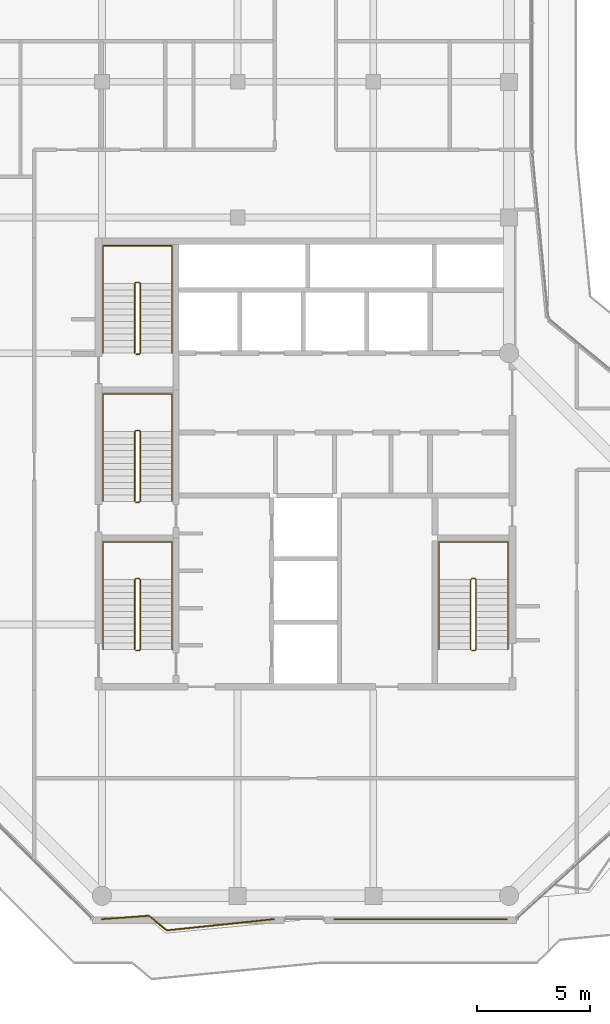
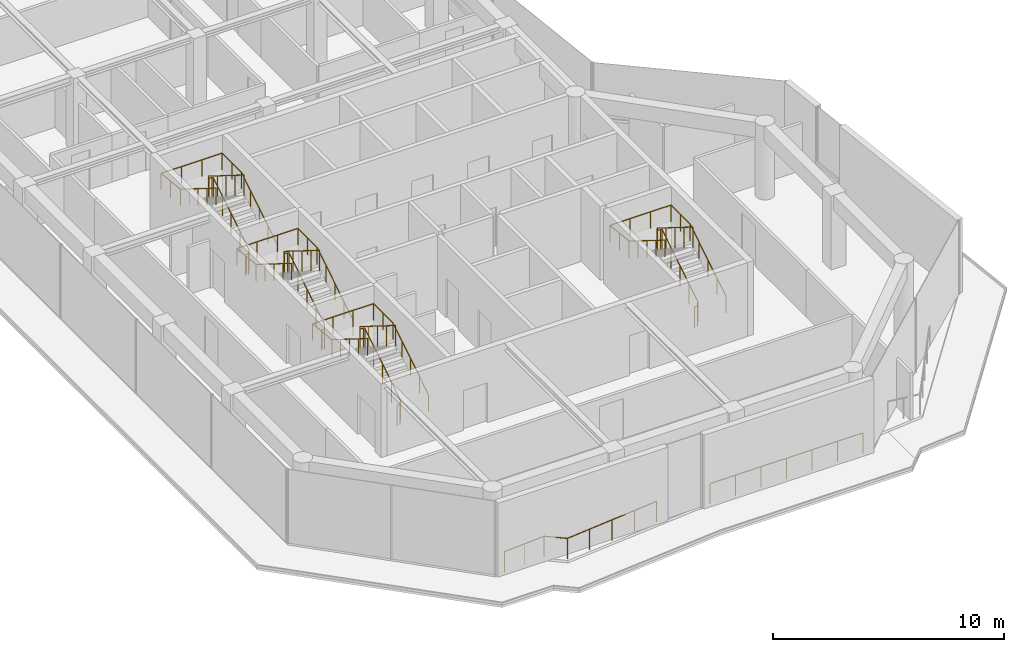
# One storey, part 21 of 22: 10 railings.
"""IFC4 building model written with IfcOpenShell, lengths in metres."""

from ifc_helpers import new_model, si_unit, direction, frame, origin, origin_2d, place, context, subcontext, project, spatial, circle, extrude, material, type_object, element, save


model = new_model("IFC4")

# Units and contexts
model_context = context("Model", 3, precision=1e-05, world=origin(), true_north=direction((0.0, 1.0)))
body_context = subcontext(model_context, "Body", "Model", "MODEL_VIEW")
ifc_project = project(units=[si_unit("LENGTHUNIT", "METRE"), si_unit("AREAUNIT", "SQUARE_METRE"), si_unit("VOLUMEUNIT", "CUBIC_METRE"), si_unit("PLANEANGLEUNIT", "RADIAN"), si_unit("MASSUNIT", "GRAM", prefix="KILO")], contexts=[model_context])

# Site, building, storey
site_placement = place(None, origin())
site = spatial("IfcSite", under=ifc_project, at=site_placement, CompositionType="ELEMENT")
building_placement = place(site_placement, origin())
building = spatial("IfcBuilding", under=site, at=building_placement, Name="Welwitschia Terrace Campus", CompositionType="ELEMENT")
storey_placement = place(building_placement, frame((0.0, 0.0, 310.39990234375)))
storey = spatial("IfcBuildingStorey", under=building, at=storey_placement, Name="L69", CompositionType="ELEMENT", Elevation=310.39990234375)

# Railings
ifc_material_1 = material(Name="Stainless steel grade 316", Category="steel")
railing_type_1 = type_object("IfcRailingType", Name="Guard 1100", PredefinedType="GUARDRAIL", material=ifc_material_1)
railing_1_placement = place(storey_placement, frame((13.605224609375, -5.030029296875, 0.0)))
element("IfcRailing", 1, at=railing_1_placement, inside=storey, type_object=railing_type_1, Name="Guard floor edge L69.1", PredefinedType="GUARDRAIL", context=body_context, shape_type="SweptSolid", body=[
    extrude(circle(Radius=0.02392578125, at=origin_2d()), frame((0.0, 0.0, 1.076171875), z_axis=(-0.994578987635, -0.103983832178, 0.0), x_axis=(0.103983832178, -0.994578987635, 0.0)), (0.0, 0.0, 1.0), 4.7685546875),
    extrude(circle(Radius=0.02392578125, at=origin_2d()), frame((-4.74267578125, -0.495849609375, 1.076171875), z_axis=(-0.77163871758, 0.636061073743, 0.0), x_axis=(-0.636061073743, -0.77163871758, 0.0)), (0.0, 0.0, 1.0), 1.015625),
    extrude(circle(Radius=0.02392578125, at=origin_2d()), frame((-5.5263671875, 0.150146484375, 1.076171875), z_axis=(-0.997409179137, -0.07193698196, 0.0), x_axis=(0.07193698196, -0.997409179137, 0.0)), (0.0, 0.0, 1.0), 2.087158203125),
    extrude(circle(Radius=0.02099609375, at=origin_2d()), origin(), (0.0, 0.0, 1.0), 1.052001953125),
    extrude(circle(Radius=0.02099609375, at=origin_2d()), frame((-1.185546875, -0.1240234375, 0.0)), (0.0, 0.0, 1.0), 1.052001953125),
    extrude(circle(Radius=0.02099609375, at=origin_2d()), frame((-2.371337890625, -0.248046875, 0.0)), (0.0, 0.0, 1.0), 1.052001953125),
    extrude(circle(Radius=0.02099609375, at=origin_2d()), frame((-3.55712890625, -0.371826171875, 0.0)), (0.0, 0.0, 1.0), 1.052001953125),
    extrude(circle(Radius=0.02099609375, at=origin_2d()), frame((-4.74267578125, -0.495849609375, 0.0)), (0.0, 0.0, 1.0), 1.052001953125),
    extrude(circle(Radius=0.02099609375, at=origin_2d()), frame((-5.5263671875, 0.150146484375, 0.0)), (0.0, 0.0, 1.0), 1.052001953125),
    extrude(circle(Radius=0.02099609375, at=origin_2d()), frame((-6.5673828125, 0.0751953125, 0.0)), (0.0, 0.0, 1.0), 1.052001953125),
    extrude(circle(Radius=0.02099609375, at=origin_2d()), frame((-7.608154296875, 0.0, 0.0)), (0.0, 0.0, 1.0), 1.052001953125),
])
railing_2_placement = place(storey_placement, frame((23.9091796875, -5.030029296875, 0.0)))
element("IfcRailing", 2, at=railing_2_placement, inside=storey, type_object=railing_type_1, Name="Guard floor edge L69.3", PredefinedType="GUARDRAIL", context=body_context, shape_type="SweptSolid", body=[
    extrude(circle(Radius=0.02392578125, at=origin_2d()), frame((0.0, 0.0, 1.076171875), z_axis=(-1.0, 0.0, 0.0), x_axis=(0.0, -1.0, 0.0)), (0.0, 0.0, 1.0), 7.632080078125),
    extrude(circle(Radius=0.02099609375, at=origin_2d()), origin(), (0.0, 0.0, 1.0), 1.052001953125),
    extrude(circle(Radius=0.02099609375, at=origin_2d()), frame((-1.27197265625, 0.0, 0.0)), (0.0, 0.0, 1.0), 1.052001953125),
    extrude(circle(Radius=0.02099609375, at=origin_2d()), frame((-2.5439453125, 0.0, 0.0)), (0.0, 0.0, 1.0), 1.052001953125),
    extrude(circle(Radius=0.02099609375, at=origin_2d()), frame((-3.81591796875, 0.0, 0.0)), (0.0, 0.0, 1.0), 1.052001953125),
    extrude(circle(Radius=0.02099609375, at=origin_2d()), frame((-5.088134765625, 0.0, 0.0)), (0.0, 0.0, 1.0), 1.052001953125),
    extrude(circle(Radius=0.02099609375, at=origin_2d()), frame((-6.360107421875, 0.0, 0.0)), (0.0, 0.0, 1.0), 1.052001953125),
    extrude(circle(Radius=0.02099609375, at=origin_2d()), frame((-7.632080078125, 0.0, 0.0)), (0.0, 0.0, 1.0), 1.052001953125),
])
ifc_material_2 = material(Name="Steel S355", Category="steel")
railing_type_2 = type_object("IfcRailingType", Name="Stair guard 1100", PredefinedType="GUARDRAIL", material=ifc_material_2)
railing_3_placement = place(storey_placement, frame((7.5, 6.85009765625, 0.0)))
element("IfcRailing", 3, at=railing_3_placement, inside=storey, type_object=railing_type_2, Name="L69 S1 stair guard", PredefinedType="GUARDRAIL", context=body_context, shape_type="SweptSolid", body=[
    extrude(circle(Radius=0.02392578125, at=origin_2d()), frame((0.0, 0.0, 1.076171875), z_axis=(1.0, 0.0, 0.0), x_axis=(0.0, 1.0, 0.0)), (0.0, 0.0, 1.0), 0.14990234375),
    extrude(circle(Radius=0.02392578125, at=origin_2d()), frame((0.14990234375, 0.0, 1.076171875), z_axis=(0.265155923931, 0.263862480399, 0.927399011991), x_axis=(-0.705375805398, 0.708833529934, 0.0)), (0.0, 0.0, 1.0), 0.188720703125),
    extrude(circle(Radius=0.02392578125, at=origin_2d()), frame((0.199951171875, 0.0498046875, 1.2509765625), z_axis=(0.0, 0.847998304005, 0.529998940003), x_axis=(-1.0, 0.0, 0.0)), (0.0, 0.0, 1.0), 3.632080078125),
    extrude(circle(Radius=0.02392578125, at=origin_2d()), frame((0.199951171875, 3.1298828125, 3.17626953125), z_axis=(-0.707106781187, 0.707106781187, 0.0), x_axis=(-0.707106781187, -0.707106781187, 0.0)), (0.0, 0.0, 1.0), 0.07080078125),
    extrude(circle(Radius=0.02392578125, at=origin_2d()), frame((0.14990234375, 3.179931640625, 3.17626953125), z_axis=(-1.0, 0.0, 0.0), x_axis=(0.0, -1.0, 0.0)), (0.0, 0.0, 1.0), 0.14990234375),
    extrude(circle(Radius=0.02392578125, at=origin_2d()), frame((0.0, 3.179931640625, 3.17626953125), z_axis=(-0.265065253269, -0.265065253269, 0.927081885822), x_axis=(0.707106781187, -0.707106781187, 0.0)), (0.0, 0.0, 1.0), 0.188720703125),
    extrude(circle(Radius=0.02392578125, at=origin_2d()), frame((-0.050048828125, 3.1298828125, 3.35107421875), z_axis=(0.0, -0.847998304005, 0.529998940003), x_axis=(1.0, 0.0, 0.0)), (0.0, 0.0, 1.0), 3.632080078125),
    extrude(circle(Radius=0.02099609375, at=origin_2d()), origin(), (0.0, 0.0, 1.0), 1.052001953125),
    extrude(circle(Radius=0.02099609375, at=origin_2d()), frame((0.14990234375, 0.0, 0.0)), (0.0, 0.0, 1.0), 1.052001953125),
    extrude(circle(Radius=0.02099609375, at=origin_2d()), frame((0.199951171875, 0.0498046875, 0.175048828125)), (0.0, 0.0, 1.0), 1.052001953125),
    extrude(circle(Radius=0.02099609375, at=origin_2d()), frame((0.199951171875, 0.81982421875, 0.65625)), (0.0, 0.0, 1.0), 1.052001953125),
    extrude(circle(Radius=0.02099609375, at=origin_2d()), frame((0.199951171875, 1.58984375, 1.1376953125)), (0.0, 0.0, 1.0), 1.052001953125),
    extrude(circle(Radius=0.02099609375, at=origin_2d()), frame((0.199951171875, 2.35986328125, 1.618896484375)), (0.0, 0.0, 1.0), 1.052001953125),
    extrude(circle(Radius=0.02099609375, at=origin_2d()), frame((0.199951171875, 3.1298828125, 2.10009765625)), (0.0, 0.0, 1.0), 1.052001953125),
    extrude(circle(Radius=0.02099609375, at=origin_2d()), frame((0.14990234375, 3.179931640625, 2.10009765625)), (0.0, 0.0, 1.0), 1.052001953125),
    extrude(circle(Radius=0.02099609375, at=origin_2d()), frame((0.0, 3.179931640625, 2.10009765625)), (0.0, 0.0, 1.0), 1.052001953125),
    extrude(circle(Radius=0.02099609375, at=origin_2d()), frame((-0.050048828125, 3.1298828125, 2.275146484375)), (0.0, 0.0, 1.0), 1.052001953125),
    extrude(circle(Radius=0.02099609375, at=origin_2d()), frame((-0.050048828125, 2.35986328125, 2.75634765625)), (0.0, 0.0, 1.0), 1.052001953125),
    extrude(circle(Radius=0.02099609375, at=origin_2d()), frame((-0.050048828125, 1.58984375, 3.23779296875)), (0.0, 0.0, 1.0), 1.052001953125),
    extrude(circle(Radius=0.02099609375, at=origin_2d()), frame((-0.050048828125, 0.81982421875, 3.718994140625)), (0.0, 0.0, 1.0), 1.052001953125),
    extrude(circle(Radius=0.02099609375, at=origin_2d()), frame((-0.050048828125, 0.0498046875, 4.2001953125)), (0.0, 0.0, 1.0), 1.052001953125),
])
railing_4_placement = place(storey_placement, frame((7.5, 13.39990234375, 0.0)))
element("IfcRailing", 4, at=railing_4_placement, inside=storey, type_object=railing_type_2, Name="L69 S3 stair guard", PredefinedType="GUARDRAIL", context=body_context, shape_type="SweptSolid", body=[
    extrude(circle(Radius=0.02392578125, at=origin_2d()), frame((0.0, 0.0, 1.076171875), z_axis=(1.0, 0.0, 0.0), x_axis=(0.0, 1.0, 0.0)), (0.0, 0.0, 1.0), 0.14990234375),
    extrude(circle(Radius=0.02392578125, at=origin_2d()), frame((0.14990234375, 0.0, 1.076171875), z_axis=(0.265065253269, 0.265065253269, 0.927081885822), x_axis=(-0.707106781187, 0.707106781187, 0.0)), (0.0, 0.0, 1.0), 0.188720703125),
    extrude(circle(Radius=0.02392578125, at=origin_2d()), frame((0.199951171875, 0.050048828125, 1.2509765625), z_axis=(0.0, 0.847998304005, 0.529998940003), x_axis=(-1.0, 0.0, 0.0)), (0.0, 0.0, 1.0), 3.632080078125),
    extrude(circle(Radius=0.02392578125, at=origin_2d()), frame((0.199951171875, 3.130126953125, 3.17626953125), z_axis=(-0.707106781187, 0.707106781187, 0.0), x_axis=(-0.707106781187, -0.707106781187, 0.0)), (0.0, 0.0, 1.0), 0.07080078125),
    extrude(circle(Radius=0.02392578125, at=origin_2d()), frame((0.14990234375, 3.18017578125, 3.17626953125), z_axis=(-1.0, 0.0, 0.0), x_axis=(0.0, -1.0, 0.0)), (0.0, 0.0, 1.0), 0.14990234375),
    extrude(circle(Radius=0.02392578125, at=origin_2d()), frame((0.0, 3.18017578125, 3.17626953125), z_axis=(-0.265065253269, -0.265065253269, 0.927081885822), x_axis=(0.707106781187, -0.707106781187, 0.0)), (0.0, 0.0, 1.0), 0.188720703125),
    extrude(circle(Radius=0.02392578125, at=origin_2d()), frame((-0.050048828125, 3.130126953125, 3.35107421875), z_axis=(0.0, -0.847998304005, 0.529998940003), x_axis=(1.0, 0.0, 0.0)), (0.0, 0.0, 1.0), 3.632080078125),
    extrude(circle(Radius=0.02099609375, at=origin_2d()), origin(), (0.0, 0.0, 1.0), 1.052001953125),
    extrude(circle(Radius=0.02099609375, at=origin_2d()), frame((0.14990234375, 0.0, 0.0)), (0.0, 0.0, 1.0), 1.052001953125),
    extrude(circle(Radius=0.02099609375, at=origin_2d()), frame((0.199951171875, 0.050048828125, 0.175048828125)), (0.0, 0.0, 1.0), 1.052001953125),
    extrude(circle(Radius=0.02099609375, at=origin_2d()), frame((0.199951171875, 0.820068359375, 0.65625)), (0.0, 0.0, 1.0), 1.052001953125),
    extrude(circle(Radius=0.02099609375, at=origin_2d()), frame((0.199951171875, 1.590087890625, 1.1376953125)), (0.0, 0.0, 1.0), 1.052001953125),
    extrude(circle(Radius=0.02099609375, at=origin_2d()), frame((0.199951171875, 2.360107421875, 1.618896484375)), (0.0, 0.0, 1.0), 1.052001953125),
    extrude(circle(Radius=0.02099609375, at=origin_2d()), frame((0.199951171875, 3.130126953125, 2.10009765625)), (0.0, 0.0, 1.0), 1.052001953125),
    extrude(circle(Radius=0.02099609375, at=origin_2d()), frame((0.14990234375, 3.18017578125, 2.10009765625)), (0.0, 0.0, 1.0), 1.052001953125),
    extrude(circle(Radius=0.02099609375, at=origin_2d()), frame((0.0, 3.18017578125, 2.10009765625)), (0.0, 0.0, 1.0), 1.052001953125),
    extrude(circle(Radius=0.02099609375, at=origin_2d()), frame((-0.050048828125, 3.130126953125, 2.275146484375)), (0.0, 0.0, 1.0), 1.052001953125),
    extrude(circle(Radius=0.02099609375, at=origin_2d()), frame((-0.050048828125, 2.360107421875, 2.75634765625)), (0.0, 0.0, 1.0), 1.052001953125),
    extrude(circle(Radius=0.02099609375, at=origin_2d()), frame((-0.050048828125, 1.590087890625, 3.23779296875)), (0.0, 0.0, 1.0), 1.052001953125),
    extrude(circle(Radius=0.02099609375, at=origin_2d()), frame((-0.050048828125, 0.820068359375, 3.718994140625)), (0.0, 0.0, 1.0), 1.052001953125),
    extrude(circle(Radius=0.02099609375, at=origin_2d()), frame((-0.050048828125, 0.050048828125, 4.2001953125)), (0.0, 0.0, 1.0), 1.052001953125),
])
railing_5_placement = place(storey_placement, frame((7.5, 19.949951171875, 0.0)))
element("IfcRailing", 5, at=railing_5_placement, inside=storey, type_object=railing_type_2, Name="L69 S4 stair guard", PredefinedType="GUARDRAIL", context=body_context, shape_type="SweptSolid", body=[
    extrude(circle(Radius=0.02392578125, at=origin_2d()), frame((0.0, 0.0, 1.076171875), z_axis=(1.0, 0.0, 0.0), x_axis=(0.0, 1.0, 0.0)), (0.0, 0.0, 1.0), 0.14990234375),
    extrude(circle(Radius=0.02392578125, at=origin_2d()), frame((0.14990234375, 0.0, 1.076171875), z_axis=(0.265065253269, 0.265065253269, 0.927081885822), x_axis=(-0.707106781187, 0.707106781187, 0.0)), (0.0, 0.0, 1.0), 0.188720703125),
    extrude(circle(Radius=0.02392578125, at=origin_2d()), frame((0.199951171875, 0.050048828125, 1.2509765625), z_axis=(0.0, 0.847998304005, 0.529998940003), x_axis=(-1.0, 0.0, 0.0)), (0.0, 0.0, 1.0), 3.632080078125),
    extrude(circle(Radius=0.02392578125, at=origin_2d()), frame((0.199951171875, 3.130126953125, 3.17626953125), z_axis=(-0.708833529934, 0.705375805398, 0.0), x_axis=(-0.705375805398, -0.708833529934, 0.0)), (0.0, 0.0, 1.0), 0.070556640625),
    extrude(circle(Radius=0.02392578125, at=origin_2d()), frame((0.14990234375, 3.179931640625, 3.17626953125), z_axis=(-1.0, 0.0, 0.0), x_axis=(0.0, -1.0, 0.0)), (0.0, 0.0, 1.0), 0.14990234375),
    extrude(circle(Radius=0.02392578125, at=origin_2d()), frame((0.0, 3.179931640625, 3.17626953125), z_axis=(-0.265155923931, -0.263862480399, 0.927399011991), x_axis=(0.705375805398, -0.708833529934, 0.0)), (0.0, 0.0, 1.0), 0.188720703125),
    extrude(circle(Radius=0.02392578125, at=origin_2d()), frame((-0.050048828125, 3.130126953125, 3.35107421875), z_axis=(0.0, -0.847998304005, 0.529998940003), x_axis=(1.0, 0.0, 0.0)), (0.0, 0.0, 1.0), 3.632080078125),
    extrude(circle(Radius=0.02099609375, at=origin_2d()), origin(), (0.0, 0.0, 1.0), 1.052001953125),
    extrude(circle(Radius=0.02099609375, at=origin_2d()), frame((0.14990234375, 0.0, 0.0)), (0.0, 0.0, 1.0), 1.052001953125),
    extrude(circle(Radius=0.02099609375, at=origin_2d()), frame((0.199951171875, 0.050048828125, 0.175048828125)), (0.0, 0.0, 1.0), 1.052001953125),
    extrude(circle(Radius=0.02099609375, at=origin_2d()), frame((0.199951171875, 0.820068359375, 0.65625)), (0.0, 0.0, 1.0), 1.052001953125),
    extrude(circle(Radius=0.02099609375, at=origin_2d()), frame((0.199951171875, 1.590087890625, 1.1376953125)), (0.0, 0.0, 1.0), 1.052001953125),
    extrude(circle(Radius=0.02099609375, at=origin_2d()), frame((0.199951171875, 2.360107421875, 1.618896484375)), (0.0, 0.0, 1.0), 1.052001953125),
    extrude(circle(Radius=0.02099609375, at=origin_2d()), frame((0.199951171875, 3.130126953125, 2.10009765625)), (0.0, 0.0, 1.0), 1.052001953125),
    extrude(circle(Radius=0.02099609375, at=origin_2d()), frame((0.14990234375, 3.179931640625, 2.10009765625)), (0.0, 0.0, 1.0), 1.052001953125),
    extrude(circle(Radius=0.02099609375, at=origin_2d()), frame((0.0, 3.179931640625, 2.10009765625)), (0.0, 0.0, 1.0), 1.052001953125),
    extrude(circle(Radius=0.02099609375, at=origin_2d()), frame((-0.050048828125, 3.130126953125, 2.275146484375)), (0.0, 0.0, 1.0), 1.052001953125),
    extrude(circle(Radius=0.02099609375, at=origin_2d()), frame((-0.050048828125, 2.360107421875, 2.75634765625)), (0.0, 0.0, 1.0), 1.052001953125),
    extrude(circle(Radius=0.02099609375, at=origin_2d()), frame((-0.050048828125, 1.590087890625, 3.23779296875)), (0.0, 0.0, 1.0), 1.052001953125),
    extrude(circle(Radius=0.02099609375, at=origin_2d()), frame((-0.050048828125, 0.820068359375, 3.718994140625)), (0.0, 0.0, 1.0), 1.052001953125),
    extrude(circle(Radius=0.02099609375, at=origin_2d()), frame((-0.050048828125, 0.050048828125, 4.2001953125)), (0.0, 0.0, 1.0), 1.052001953125),
])
railing_6_placement = place(storey_placement, frame((22.35009765625, 6.85009765625, 0.0)))
element("IfcRailing", 6, at=railing_6_placement, inside=storey, type_object=railing_type_2, Name="L69 S2 stair guard", PredefinedType="GUARDRAIL", context=body_context, shape_type="SweptSolid", body=[
    extrude(circle(Radius=0.02392578125, at=origin_2d()), frame((0.0, 0.0, 1.076171875), z_axis=(1.0, 0.0, 0.0), x_axis=(0.0, 1.0, 0.0)), (0.0, 0.0, 1.0), 0.14990234375),
    extrude(circle(Radius=0.02392578125, at=origin_2d()), frame((0.14990234375, 0.0, 1.076171875), z_axis=(0.265155923931, 0.263862480399, 0.927399011991), x_axis=(-0.705375805398, 0.708833529934, 0.0)), (0.0, 0.0, 1.0), 0.188720703125),
    extrude(circle(Radius=0.02392578125, at=origin_2d()), frame((0.199951171875, 0.0498046875, 1.2509765625), z_axis=(0.0, 0.847998304005, 0.529998940003), x_axis=(-1.0, 0.0, 0.0)), (0.0, 0.0, 1.0), 3.632080078125),
    extrude(circle(Radius=0.02392578125, at=origin_2d()), frame((0.199951171875, 3.1298828125, 3.17626953125), z_axis=(-0.707106781187, 0.707106781187, 0.0), x_axis=(-0.707106781187, -0.707106781187, 0.0)), (0.0, 0.0, 1.0), 0.07080078125),
    extrude(circle(Radius=0.02392578125, at=origin_2d()), frame((0.14990234375, 3.179931640625, 3.17626953125), z_axis=(-1.0, 0.0, 0.0), x_axis=(0.0, -1.0, 0.0)), (0.0, 0.0, 1.0), 0.14990234375),
    extrude(circle(Radius=0.02392578125, at=origin_2d()), frame((0.0, 3.179931640625, 3.17626953125), z_axis=(-0.265065253269, -0.265065253269, 0.927081885822), x_axis=(0.707106781187, -0.707106781187, 0.0)), (0.0, 0.0, 1.0), 0.188720703125),
    extrude(circle(Radius=0.02392578125, at=origin_2d()), frame((-0.050048828125, 3.1298828125, 3.35107421875), z_axis=(0.0, -0.847998304005, 0.529998940003), x_axis=(1.0, 0.0, 0.0)), (0.0, 0.0, 1.0), 3.632080078125),
    extrude(circle(Radius=0.02099609375, at=origin_2d()), origin(), (0.0, 0.0, 1.0), 1.052001953125),
    extrude(circle(Radius=0.02099609375, at=origin_2d()), frame((0.14990234375, 0.0, 0.0)), (0.0, 0.0, 1.0), 1.052001953125),
    extrude(circle(Radius=0.02099609375, at=origin_2d()), frame((0.199951171875, 0.0498046875, 0.175048828125)), (0.0, 0.0, 1.0), 1.052001953125),
    extrude(circle(Radius=0.02099609375, at=origin_2d()), frame((0.199951171875, 0.81982421875, 0.65625)), (0.0, 0.0, 1.0), 1.052001953125),
    extrude(circle(Radius=0.02099609375, at=origin_2d()), frame((0.199951171875, 1.58984375, 1.1376953125)), (0.0, 0.0, 1.0), 1.052001953125),
    extrude(circle(Radius=0.02099609375, at=origin_2d()), frame((0.199951171875, 2.35986328125, 1.618896484375)), (0.0, 0.0, 1.0), 1.052001953125),
    extrude(circle(Radius=0.02099609375, at=origin_2d()), frame((0.199951171875, 3.1298828125, 2.10009765625)), (0.0, 0.0, 1.0), 1.052001953125),
    extrude(circle(Radius=0.02099609375, at=origin_2d()), frame((0.14990234375, 3.179931640625, 2.10009765625)), (0.0, 0.0, 1.0), 1.052001953125),
    extrude(circle(Radius=0.02099609375, at=origin_2d()), frame((0.0, 3.179931640625, 2.10009765625)), (0.0, 0.0, 1.0), 1.052001953125),
    extrude(circle(Radius=0.02099609375, at=origin_2d()), frame((-0.050048828125, 3.1298828125, 2.275146484375)), (0.0, 0.0, 1.0), 1.052001953125),
    extrude(circle(Radius=0.02099609375, at=origin_2d()), frame((-0.050048828125, 2.35986328125, 2.75634765625)), (0.0, 0.0, 1.0), 1.052001953125),
    extrude(circle(Radius=0.02099609375, at=origin_2d()), frame((-0.050048828125, 1.58984375, 3.23779296875)), (0.0, 0.0, 1.0), 1.052001953125),
    extrude(circle(Radius=0.02099609375, at=origin_2d()), frame((-0.050048828125, 0.81982421875, 3.718994140625)), (0.0, 0.0, 1.0), 1.052001953125),
    extrude(circle(Radius=0.02099609375, at=origin_2d()), frame((-0.050048828125, 0.0498046875, 4.2001953125)), (0.0, 0.0, 1.0), 1.052001953125),
])
ifc_material_3 = material(Name="Steel S355", Category="steel")
railing_type_3 = type_object("IfcRailingType", Name="Stair handrail 900", PredefinedType="HANDRAIL", material=ifc_material_3)
railing_7_placement = place(storey_placement, frame((9.10009765625, 6.89990234375, 0.175048828125)))
element("IfcRailing", 7, at=railing_7_placement, inside=storey, type_object=railing_type_3, Name="L69 S1 stair handrail", PredefinedType="HANDRAIL", context=body_context, shape_type="SweptSolid", body=[
    extrude(circle(Radius=0.02392578125, at=origin_2d()), frame((0.0, 0.0, 0.8759765625), z_axis=(0.0, 0.847998304005, 0.529998940003), x_axis=(-1.0, 0.0, 0.0)), (0.0, 0.0, 1.0), 3.632080078125),
    extrude(circle(Radius=0.02392578125, at=origin_2d()), frame((0.0, 3.080078125, 2.80078125), z_axis=(0.0, 1.0, 0.0), x_axis=(-1.0, 0.0, 0.0)), (0.0, 0.0, 1.0), 1.669921875),
    extrude(circle(Radius=0.02392578125, at=origin_2d()), frame((0.0, 4.75, 2.80078125), z_axis=(-1.0, 0.0, 0.0), x_axis=(0.0, -1.0, 0.0)), (0.0, 0.0, 1.0), 3.050048828125),
    extrude(circle(Radius=0.02392578125, at=origin_2d()), frame((-3.050048828125, 4.75, 2.80078125), z_axis=(0.0, -0.99455077262, 0.104253348533), x_axis=(1.0, 0.0, 0.0)), (0.0, 0.0, 1.0), 1.678955078125),
    extrude(circle(Radius=0.02392578125, at=origin_2d()), frame((-3.050048828125, 3.080078125, 2.97607421875), z_axis=(0.0, -0.847998304005, 0.529998940003), x_axis=(1.0, 0.0, 0.0)), (0.0, 0.0, 1.0), 3.632080078125),
    extrude(circle(Radius=0.02099609375, at=origin_2d()), origin(), (0.0, 0.0, 1.0), 0.851806640625),
    extrude(circle(Radius=0.02099609375, at=origin_2d()), frame((0.0, 0.77001953125, 0.481201171875)), (0.0, 0.0, 1.0), 0.851806640625),
    extrude(circle(Radius=0.02099609375, at=origin_2d()), frame((0.0, 1.5400390625, 0.96240234375)), (0.0, 0.0, 1.0), 0.851806640625),
    extrude(circle(Radius=0.02099609375, at=origin_2d()), frame((0.0, 2.31005859375, 1.44384765625)), (0.0, 0.0, 1.0), 0.851806640625),
    extrude(circle(Radius=0.02099609375, at=origin_2d()), frame((0.0, 3.080078125, 1.925048828125)), (0.0, 0.0, 1.0), 0.851806640625),
    extrude(circle(Radius=0.02099609375, at=origin_2d()), frame((0.0, 3.9150390625, 1.925048828125)), (0.0, 0.0, 1.0), 0.851806640625),
    extrude(circle(Radius=0.02099609375, at=origin_2d()), frame((0.0, 4.75, 1.925048828125)), (0.0, 0.0, 1.0), 0.851806640625),
    extrude(circle(Radius=0.02099609375, at=origin_2d()), frame((-1.0166015625, 4.75, 1.925048828125)), (0.0, 0.0, 1.0), 0.851806640625),
    extrude(circle(Radius=0.02099609375, at=origin_2d()), frame((-2.033447265625, 4.75, 1.925048828125)), (0.0, 0.0, 1.0), 0.851806640625),
    extrude(circle(Radius=0.02099609375, at=origin_2d()), frame((-3.050048828125, 4.75, 1.925048828125)), (0.0, 0.0, 1.0), 0.851806640625),
    extrude(circle(Radius=0.02099609375, at=origin_2d()), frame((-3.050048828125, 3.9150390625, 2.0126953125)), (0.0, 0.0, 1.0), 0.851806640625),
    extrude(circle(Radius=0.02099609375, at=origin_2d()), frame((-3.050048828125, 3.080078125, 2.10009765625)), (0.0, 0.0, 1.0), 0.851806640625),
    extrude(circle(Radius=0.02099609375, at=origin_2d()), frame((-3.050048828125, 2.31005859375, 2.581298828125)), (0.0, 0.0, 1.0), 0.851806640625),
    extrude(circle(Radius=0.02099609375, at=origin_2d()), frame((-3.050048828125, 1.5400390625, 3.0625)), (0.0, 0.0, 1.0), 0.851806640625),
    extrude(circle(Radius=0.02099609375, at=origin_2d()), frame((-3.050048828125, 0.77001953125, 3.5439453125)), (0.0, 0.0, 1.0), 0.851806640625),
    extrude(circle(Radius=0.02099609375, at=origin_2d()), frame((-3.050048828125, 0.0, 4.025146484375)), (0.0, 0.0, 1.0), 0.851806640625),
])
railing_8_placement = place(storey_placement, frame((9.10009765625, 13.449951171875, 0.175048828125)))
element("IfcRailing", 8, at=railing_8_placement, inside=storey, type_object=railing_type_3, Name="L69 S3 stair handrail", PredefinedType="HANDRAIL", context=body_context, shape_type="SweptSolid", body=[
    extrude(circle(Radius=0.02392578125, at=origin_2d()), frame((0.0, 0.0, 0.8759765625), z_axis=(0.0, 0.847998304005, 0.529998940003), x_axis=(-1.0, 0.0, 0.0)), (0.0, 0.0, 1.0), 3.632080078125),
    extrude(circle(Radius=0.02392578125, at=origin_2d()), frame((0.0, 3.080078125, 2.80078125), z_axis=(0.0, 1.0, 0.0), x_axis=(-1.0, 0.0, 0.0)), (0.0, 0.0, 1.0), 1.669921875),
    extrude(circle(Radius=0.02392578125, at=origin_2d()), frame((0.0, 4.75, 2.80078125), z_axis=(-1.0, 0.0, 0.0), x_axis=(0.0, -1.0, 0.0)), (0.0, 0.0, 1.0), 3.050048828125),
    extrude(circle(Radius=0.02392578125, at=origin_2d()), frame((-3.050048828125, 4.75, 2.80078125), z_axis=(0.0, -0.99455077262, 0.104253348533), x_axis=(1.0, 0.0, 0.0)), (0.0, 0.0, 1.0), 1.678955078125),
    extrude(circle(Radius=0.02392578125, at=origin_2d()), frame((-3.050048828125, 3.080078125, 2.97607421875), z_axis=(0.0, -0.847998304005, 0.529998940003), x_axis=(1.0, 0.0, 0.0)), (0.0, 0.0, 1.0), 3.632080078125),
    extrude(circle(Radius=0.02099609375, at=origin_2d()), origin(), (0.0, 0.0, 1.0), 0.851806640625),
    extrude(circle(Radius=0.02099609375, at=origin_2d()), frame((0.0, 0.77001953125, 0.481201171875)), (0.0, 0.0, 1.0), 0.851806640625),
    extrude(circle(Radius=0.02099609375, at=origin_2d()), frame((0.0, 1.5400390625, 0.96240234375)), (0.0, 0.0, 1.0), 0.851806640625),
    extrude(circle(Radius=0.02099609375, at=origin_2d()), frame((0.0, 2.31005859375, 1.44384765625)), (0.0, 0.0, 1.0), 0.851806640625),
    extrude(circle(Radius=0.02099609375, at=origin_2d()), frame((0.0, 3.080078125, 1.925048828125)), (0.0, 0.0, 1.0), 0.851806640625),
    extrude(circle(Radius=0.02099609375, at=origin_2d()), frame((0.0, 3.9150390625, 1.925048828125)), (0.0, 0.0, 1.0), 0.851806640625),
    extrude(circle(Radius=0.02099609375, at=origin_2d()), frame((0.0, 4.75, 1.925048828125)), (0.0, 0.0, 1.0), 0.851806640625),
    extrude(circle(Radius=0.02099609375, at=origin_2d()), frame((-1.0166015625, 4.75, 1.925048828125)), (0.0, 0.0, 1.0), 0.851806640625),
    extrude(circle(Radius=0.02099609375, at=origin_2d()), frame((-2.033447265625, 4.75, 1.925048828125)), (0.0, 0.0, 1.0), 0.851806640625),
    extrude(circle(Radius=0.02099609375, at=origin_2d()), frame((-3.050048828125, 4.75, 1.925048828125)), (0.0, 0.0, 1.0), 0.851806640625),
    extrude(circle(Radius=0.02099609375, at=origin_2d()), frame((-3.050048828125, 3.9150390625, 2.0126953125)), (0.0, 0.0, 1.0), 0.851806640625),
    extrude(circle(Radius=0.02099609375, at=origin_2d()), frame((-3.050048828125, 3.080078125, 2.10009765625)), (0.0, 0.0, 1.0), 0.851806640625),
    extrude(circle(Radius=0.02099609375, at=origin_2d()), frame((-3.050048828125, 2.31005859375, 2.581298828125)), (0.0, 0.0, 1.0), 0.851806640625),
    extrude(circle(Radius=0.02099609375, at=origin_2d()), frame((-3.050048828125, 1.5400390625, 3.0625)), (0.0, 0.0, 1.0), 0.851806640625),
    extrude(circle(Radius=0.02099609375, at=origin_2d()), frame((-3.050048828125, 0.77001953125, 3.5439453125)), (0.0, 0.0, 1.0), 0.851806640625),
    extrude(circle(Radius=0.02099609375, at=origin_2d()), frame((-3.050048828125, 0.0, 4.025146484375)), (0.0, 0.0, 1.0), 0.851806640625),
])
railing_9_placement = place(storey_placement, frame((9.10009765625, 20.0, 0.175048828125)))
element("IfcRailing", 9, at=railing_9_placement, inside=storey, type_object=railing_type_3, Name="L69 S4 stair handrail", PredefinedType="HANDRAIL", context=body_context, shape_type="SweptSolid", body=[
    extrude(circle(Radius=0.02392578125, at=origin_2d()), frame((0.0, 0.0, 0.8759765625), z_axis=(0.0, 0.847998304005, 0.529998940003), x_axis=(-1.0, 0.0, 0.0)), (0.0, 0.0, 1.0), 3.632080078125),
    extrude(circle(Radius=0.02392578125, at=origin_2d()), frame((0.0, 3.080078125, 2.80078125), z_axis=(0.0, 1.0, 0.0), x_axis=(-1.0, 0.0, 0.0)), (0.0, 0.0, 1.0), 1.669921875),
    extrude(circle(Radius=0.02392578125, at=origin_2d()), frame((0.0, 4.75, 2.80078125), z_axis=(-1.0, 0.0, 0.0), x_axis=(0.0, -1.0, 0.0)), (0.0, 0.0, 1.0), 3.050048828125),
    extrude(circle(Radius=0.02392578125, at=origin_2d()), frame((-3.050048828125, 4.75, 2.80078125), z_axis=(0.0, -0.99455077262, 0.104253348533), x_axis=(1.0, 0.0, 0.0)), (0.0, 0.0, 1.0), 1.678955078125),
    extrude(circle(Radius=0.02392578125, at=origin_2d()), frame((-3.050048828125, 3.080078125, 2.97607421875), z_axis=(0.0, -0.847998304005, 0.529998940003), x_axis=(1.0, 0.0, 0.0)), (0.0, 0.0, 1.0), 3.632080078125),
    extrude(circle(Radius=0.02099609375, at=origin_2d()), origin(), (0.0, 0.0, 1.0), 0.851806640625),
    extrude(circle(Radius=0.02099609375, at=origin_2d()), frame((0.0, 0.77001953125, 0.481201171875)), (0.0, 0.0, 1.0), 0.851806640625),
    extrude(circle(Radius=0.02099609375, at=origin_2d()), frame((0.0, 1.5400390625, 0.96240234375)), (0.0, 0.0, 1.0), 0.851806640625),
    extrude(circle(Radius=0.02099609375, at=origin_2d()), frame((0.0, 2.31005859375, 1.44384765625)), (0.0, 0.0, 1.0), 0.851806640625),
    extrude(circle(Radius=0.02099609375, at=origin_2d()), frame((0.0, 3.080078125, 1.925048828125)), (0.0, 0.0, 1.0), 0.851806640625),
    extrude(circle(Radius=0.02099609375, at=origin_2d()), frame((0.0, 3.9150390625, 1.925048828125)), (0.0, 0.0, 1.0), 0.851806640625),
    extrude(circle(Radius=0.02099609375, at=origin_2d()), frame((0.0, 4.75, 1.925048828125)), (0.0, 0.0, 1.0), 0.851806640625),
    extrude(circle(Radius=0.02099609375, at=origin_2d()), frame((-1.0166015625, 4.75, 1.925048828125)), (0.0, 0.0, 1.0), 0.851806640625),
    extrude(circle(Radius=0.02099609375, at=origin_2d()), frame((-2.033447265625, 4.75, 1.925048828125)), (0.0, 0.0, 1.0), 0.851806640625),
    extrude(circle(Radius=0.02099609375, at=origin_2d()), frame((-3.050048828125, 4.75, 1.925048828125)), (0.0, 0.0, 1.0), 0.851806640625),
    extrude(circle(Radius=0.02099609375, at=origin_2d()), frame((-3.050048828125, 3.9150390625, 2.0126953125)), (0.0, 0.0, 1.0), 0.851806640625),
    extrude(circle(Radius=0.02099609375, at=origin_2d()), frame((-3.050048828125, 3.080078125, 2.10009765625)), (0.0, 0.0, 1.0), 0.851806640625),
    extrude(circle(Radius=0.02099609375, at=origin_2d()), frame((-3.050048828125, 2.31005859375, 2.581298828125)), (0.0, 0.0, 1.0), 0.851806640625),
    extrude(circle(Radius=0.02099609375, at=origin_2d()), frame((-3.050048828125, 1.5400390625, 3.0625)), (0.0, 0.0, 1.0), 0.851806640625),
    extrude(circle(Radius=0.02099609375, at=origin_2d()), frame((-3.050048828125, 0.77001953125, 3.5439453125)), (0.0, 0.0, 1.0), 0.851806640625),
    extrude(circle(Radius=0.02099609375, at=origin_2d()), frame((-3.050048828125, 0.0, 4.025146484375)), (0.0, 0.0, 1.0), 0.851806640625),
])
railing_10_placement = place(storey_placement, frame((23.949951171875, 6.89990234375, 0.175048828125)))
element("IfcRailing", 10, at=railing_10_placement, inside=storey, type_object=railing_type_3, Name="L69 S2 stair handrail", PredefinedType="HANDRAIL", context=body_context, shape_type="SweptSolid", body=[
    extrude(circle(Radius=0.02392578125, at=origin_2d()), frame((0.0, 0.0, 0.8759765625), z_axis=(0.0, 0.847998304005, 0.529998940003), x_axis=(-1.0, 0.0, 0.0)), (0.0, 0.0, 1.0), 3.632080078125),
    extrude(circle(Radius=0.02392578125, at=origin_2d()), frame((0.0, 3.080078125, 2.80078125), z_axis=(0.0, 1.0, 0.0), x_axis=(-1.0, 0.0, 0.0)), (0.0, 0.0, 1.0), 1.669921875),
    extrude(circle(Radius=0.02392578125, at=origin_2d()), frame((0.0, 4.75, 2.80078125), z_axis=(-1.0, 0.0, 0.0), x_axis=(0.0, -1.0, 0.0)), (0.0, 0.0, 1.0), 3.050048828125),
    extrude(circle(Radius=0.02392578125, at=origin_2d()), frame((-3.050048828125, 4.75, 2.80078125), z_axis=(0.0, -0.99455077262, 0.104253348533), x_axis=(1.0, 0.0, 0.0)), (0.0, 0.0, 1.0), 1.678955078125),
    extrude(circle(Radius=0.02392578125, at=origin_2d()), frame((-3.050048828125, 3.080078125, 2.97607421875), z_axis=(0.0, -0.847998304005, 0.529998940003), x_axis=(1.0, 0.0, 0.0)), (0.0, 0.0, 1.0), 3.632080078125),
    extrude(circle(Radius=0.02099609375, at=origin_2d()), origin(), (0.0, 0.0, 1.0), 0.851806640625),
    extrude(circle(Radius=0.02099609375, at=origin_2d()), frame((0.0, 0.77001953125, 0.481201171875)), (0.0, 0.0, 1.0), 0.851806640625),
    extrude(circle(Radius=0.02099609375, at=origin_2d()), frame((0.0, 1.5400390625, 0.96240234375)), (0.0, 0.0, 1.0), 0.851806640625),
    extrude(circle(Radius=0.02099609375, at=origin_2d()), frame((0.0, 2.31005859375, 1.44384765625)), (0.0, 0.0, 1.0), 0.851806640625),
    extrude(circle(Radius=0.02099609375, at=origin_2d()), frame((0.0, 3.080078125, 1.925048828125)), (0.0, 0.0, 1.0), 0.851806640625),
    extrude(circle(Radius=0.02099609375, at=origin_2d()), frame((0.0, 3.9150390625, 1.925048828125)), (0.0, 0.0, 1.0), 0.851806640625),
    extrude(circle(Radius=0.02099609375, at=origin_2d()), frame((0.0, 4.75, 1.925048828125)), (0.0, 0.0, 1.0), 0.851806640625),
    extrude(circle(Radius=0.02099609375, at=origin_2d()), frame((-1.0166015625, 4.75, 1.925048828125)), (0.0, 0.0, 1.0), 0.851806640625),
    extrude(circle(Radius=0.02099609375, at=origin_2d()), frame((-2.033447265625, 4.75, 1.925048828125)), (0.0, 0.0, 1.0), 0.851806640625),
    extrude(circle(Radius=0.02099609375, at=origin_2d()), frame((-3.050048828125, 4.75, 1.925048828125)), (0.0, 0.0, 1.0), 0.851806640625),
    extrude(circle(Radius=0.02099609375, at=origin_2d()), frame((-3.050048828125, 3.9150390625, 2.0126953125)), (0.0, 0.0, 1.0), 0.851806640625),
    extrude(circle(Radius=0.02099609375, at=origin_2d()), frame((-3.050048828125, 3.080078125, 2.10009765625)), (0.0, 0.0, 1.0), 0.851806640625),
    extrude(circle(Radius=0.02099609375, at=origin_2d()), frame((-3.050048828125, 2.31005859375, 2.581298828125)), (0.0, 0.0, 1.0), 0.851806640625),
    extrude(circle(Radius=0.02099609375, at=origin_2d()), frame((-3.050048828125, 1.5400390625, 3.0625)), (0.0, 0.0, 1.0), 0.851806640625),
    extrude(circle(Radius=0.02099609375, at=origin_2d()), frame((-3.050048828125, 0.77001953125, 3.5439453125)), (0.0, 0.0, 1.0), 0.851806640625),
    extrude(circle(Radius=0.02099609375, at=origin_2d()), frame((-3.050048828125, 0.0, 4.025146484375)), (0.0, 0.0, 1.0), 0.851806640625),
])

save(model, "model.ifc")
